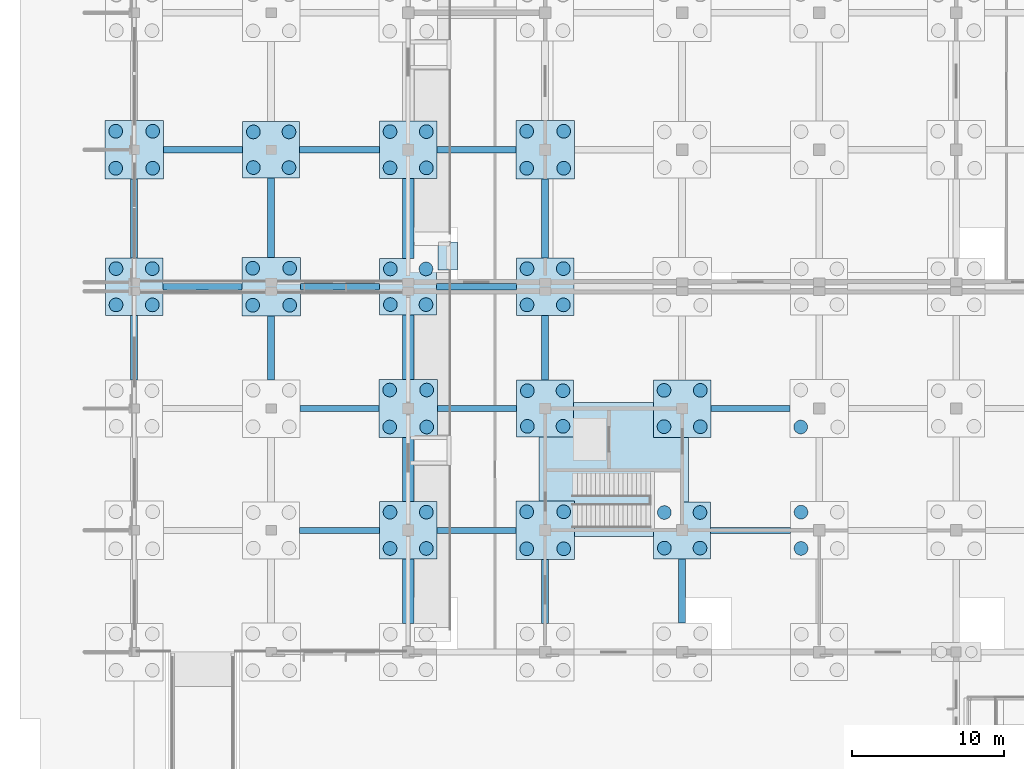
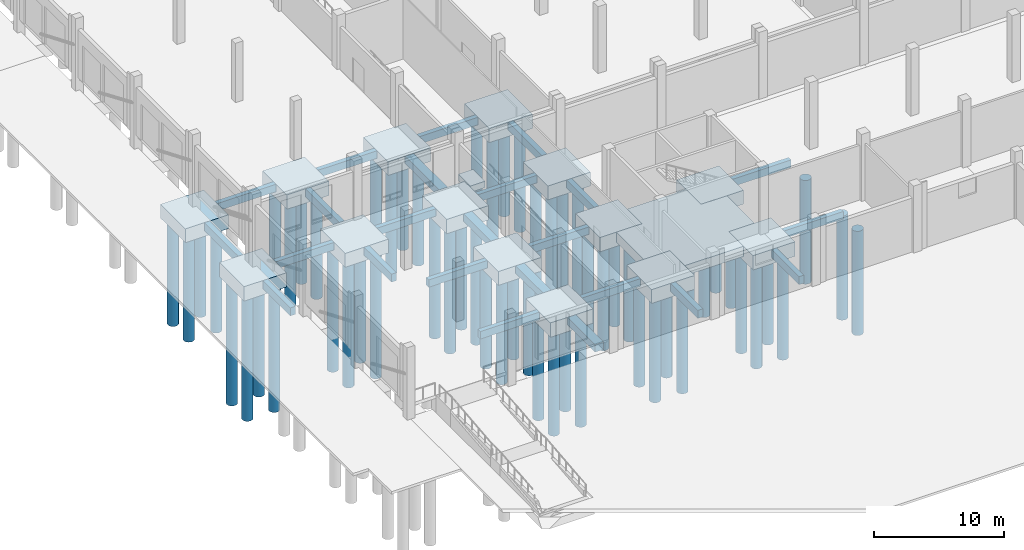
# One storey, part 2 of 99: 59 piles, 40 footings.
"""IFC4 building model written with IfcOpenShell, lengths in metres."""

from ifc_helpers import new_model, si_unit, direction, frame, origin, origin_2d, place, context, subcontext, project, spatial, polyline, rectangle, circle, outline, extrude, material, layer, layer_set, material_profile, profile_set, type_object, element, save


model = new_model("IFC4")

# Units and contexts
model_context = context("Model", 3, precision=1e-05, world=origin(), true_north=direction((0.0, 1.0)))
body_context = subcontext(model_context, "Body", "Model", "MODEL_VIEW")
ifc_project = project(units=[si_unit("LENGTHUNIT", "METRE"), si_unit("AREAUNIT", "SQUARE_METRE"), si_unit("VOLUMEUNIT", "CUBIC_METRE"), si_unit("PLANEANGLEUNIT", "RADIAN"), si_unit("MASSUNIT", "GRAM", prefix="KILO")], contexts=[model_context])

# Site, building, storey
site_placement = place(None, origin())
site = spatial("IfcSite", under=ifc_project, at=site_placement, CompositionType="ELEMENT")
building_placement = place(site_placement, origin())
building = spatial("IfcBuilding", under=site, at=building_placement, Name="Zacnel Wholesale Market", CompositionType="ELEMENT")
storey_placement = place(building_placement, origin())
storey = spatial("IfcBuildingStorey", under=building, at=storey_placement, Name="L01", CompositionType="ELEMENT", Elevation=0.0)

# Footings
ifc_material_1 = material(Name="Concrete C35/45", Category="concrete")
ifc_layer_1 = layer(ifc_material_1, 0.949951171875)
ifc_layer_set_1 = layer_set([ifc_layer_1], Name="Concrete C35/45")
footing_type_1 = type_object("IfcFootingType", Name="FTG-CORE-MAT-9500X8500", PredefinedType="PAD_FOOTING", material=ifc_layer_set_1)
footing_1_placement = place(storey_placement, frame((0.0, 0.0, -1.449951171875)))
element("IfcFooting", 1, at=footing_1_placement, inside=storey, type_object=footing_type_1, Name="Core C3 mat foundation", PredefinedType="PAD_FOOTING", context=body_context, shape_type="SweptSolid", body=[
    extrude(outline(polyline([(34.1298828125, 33.87109375), (34.1298828125, 33.87109375), (34.1298828125, 33.87109375), (34.129638671875, 33.87109375), (34.129638671875, 33.870849609375), (34.12939453125, 33.870849609375), (34.12939453125, 33.870849609375), (34.12939453125, 33.870849609375), (34.12939453125, 33.87060546875), (34.129150390625, 33.87060546875), (34.129150390625, 33.87060546875), (34.129150390625, 33.87060546875), (34.129150390625, 33.870361328125), (34.12890625, 33.870361328125), (34.12890625, 33.8701171875), (34.12890625, 33.8701171875), (34.12890625, 33.8701171875), (34.12890625, 31.60009765625), (28.916015625, 31.60009765625), (28.916015625, 33.9150390625), (28.916015625, 33.9150390625), (28.916015625, 33.915283203125), (28.916015625, 33.915283203125), (28.916015625, 33.915283203125), (28.916015625, 33.91552734375), (28.915771484375, 33.91552734375), (28.915771484375, 33.91552734375), (28.915771484375, 33.915771484375), (28.91552734375, 33.915771484375), (28.91552734375, 33.915771484375), (28.91552734375, 33.916015625), (28.915283203125, 33.916015625), (28.915283203125, 33.916015625), (28.915283203125, 33.916015625), (28.9150390625, 33.916015625), (28.9150390625, 33.916015625), (26.60009765625, 33.916015625), (26.60009765625, 38.12890625), (28.8701171875, 38.12890625), (28.8701171875, 38.12890625), (28.8701171875, 38.12890625), (28.870361328125, 38.12890625), (28.870361328125, 38.129150390625), (28.87060546875, 38.129150390625), (28.87060546875, 38.129150390625), (28.87060546875, 38.129150390625), (28.87060546875, 38.12939453125), (28.870849609375, 38.12939453125), (28.870849609375, 38.12939453125), (28.870849609375, 38.12939453125), (28.870849609375, 38.129638671875), (28.87109375, 38.129638671875), (28.87109375, 38.1298828125), (28.87109375, 38.1298828125), (28.87109375, 38.1298828125), (28.87109375, 40.39990234375), (34.10888671875, 40.39990234375), (34.10888671875, 38.110107421875), (34.10888671875, 38.10986328125), (34.10888671875, 38.10986328125), (34.10888671875, 38.109619140625), (34.109130859375, 38.109619140625), (34.109130859375, 38.109619140625), (34.109130859375, 38.109375), (34.109130859375, 38.109375), (34.109375, 38.109375), (34.109375, 38.109130859375), (34.109375, 38.109130859375), (34.109619140625, 38.109130859375), (34.109619140625, 38.109130859375), (34.109619140625, 38.10888671875), (34.10986328125, 38.10888671875), (34.10986328125, 38.10888671875), (34.110107421875, 38.10888671875), (36.39990234375, 38.10888671875), (36.39990234375, 33.87109375), (34.1298828125, 33.87109375)])), origin(), (0.0, 0.0, 1.0), 0.949951171875),
])
ifc_material_2 = material(Name="Concrete C35/45", Category="concrete")
ifc_material_profile_1 = material_profile(ifc_material_2, rectangle(XDim=0.39990234375, YDim=0.699951171875, at=origin_2d()), Name="CT 400x700")
ifc_profile_set_1 = profile_set([ifc_material_profile_1], Name="Concrete C35/45")
footing_type_2 = type_object("IfcFootingType", Name="FTG-CT400X700", PredefinedType="FOOTING_BEAM", material=ifc_profile_set_1)
footing_2_placement = place(storey_placement, frame((10.8701171875, 32.0, -0.85009765625), z_axis=(1.0, 0.0, 0.0), x_axis=(0.0, 1.0, 0.0)))
element("IfcFooting", 2, at=footing_2_placement, inside=storey, type_object=footing_type_2, Name="Ground tie beam CT-X-0319", PredefinedType="FOOTING_BEAM", context=body_context, shape_type="SweptSolid", body=[
    extrude(rectangle(XDim=0.39990234375, YDim=0.699951171875, at=origin_2d()), origin(), (0.0, 0.0, 1.0), 5.239990234375),
])
footing_3_placement = place(storey_placement, frame((19.889892578125, 32.0, -0.85009765625), z_axis=(1.0, 0.0, 0.0), x_axis=(0.0, 1.0, 0.0)))
element("IfcFooting", 3, at=footing_3_placement, inside=storey, type_object=footing_type_2, Name="Ground tie beam CT-X-0320", PredefinedType="FOOTING_BEAM", context=body_context, shape_type="SweptSolid", body=[
    extrude(rectangle(XDim=0.39990234375, YDim=0.699951171875, at=origin_2d()), origin(), (0.0, 0.0, 1.0), 5.195068359375),
])
footing_4_placement = place(storey_placement, frame((37.8701171875, 32.0, -0.85009765625), z_axis=(1.0, 0.0, 0.0), x_axis=(0.0, 1.0, 0.0)))
element("IfcFooting", 4, at=footing_4_placement, inside=storey, type_object=footing_type_2, Name="Ground tie beam CT-X-0321", PredefinedType="FOOTING_BEAM", context=body_context, shape_type="SweptSolid", body=[
    extrude(rectangle(XDim=0.39990234375, YDim=0.699951171875, at=origin_2d()), origin(), (0.0, 0.0, 1.0), 5.239990234375),
])
footing_5_placement = place(storey_placement, frame((10.889892578125, 40.0, -0.85009765625), z_axis=(1.0, 0.0, 0.0), x_axis=(0.0, 1.0, 0.0)))
element("IfcFooting", 5, at=footing_5_placement, inside=storey, type_object=footing_type_2, Name="Ground tie beam CT-X-0340", PredefinedType="FOOTING_BEAM", context=body_context, shape_type="SweptSolid", body=[
    extrude(rectangle(XDim=0.39990234375, YDim=0.699951171875, at=origin_2d()), origin(), (0.0, 0.0, 1.0), 5.195068359375),
])
footing_6_placement = place(storey_placement, frame((19.9150390625, 40.0, -0.85009765625), z_axis=(1.0, 0.0, 0.0), x_axis=(0.0, 1.0, 0.0)))
element("IfcFooting", 6, at=footing_6_placement, inside=storey, type_object=footing_type_2, Name="Ground tie beam CT-X-0341", PredefinedType="FOOTING_BEAM", context=body_context, shape_type="SweptSolid", body=[
    extrude(rectangle(XDim=0.39990234375, YDim=0.699951171875, at=origin_2d()), origin(), (0.0, 0.0, 1.0), 5.21484375),
])
for number, where, z_axis, x_axis, name in (
    (7, (37.889892578125, 40.0, -0.85009765625), (1.0, 0.0, 0.0), (0.0, 1.0, 0.0), "Ground tie beam CT-X-0342"),
    (8, (1.889892578125, 48.0, -0.85009765625), (1.0, 0.0, 0.0), (0.0, 1.0, 0.0), "Ground tie beam CT-X-0361"),
):
    element("IfcFooting", number, at=place(storey_placement, frame(where, z_axis=z_axis, x_axis=x_axis)), inside=storey, type_object=footing_type_2, Name=name, PredefinedType="FOOTING_BEAM", context=body_context, shape_type="SweptSolid", body=[
        extrude(rectangle(XDim=0.39990234375, YDim=0.699951171875, at=origin_2d()), origin(), (0.0, 0.0, 1.0), 5.195068359375),
    ])
footing_7_placement = place(storey_placement, frame((10.9150390625, 48.0, -0.85009765625), z_axis=(1.0, 0.0, 0.0), x_axis=(0.0, 1.0, 0.0)))
element("IfcFooting", 9, at=footing_7_placement, inside=storey, type_object=footing_type_2, Name="Ground tie beam CT-X-0362", PredefinedType="FOOTING_BEAM", context=body_context, shape_type="SweptSolid", body=[
    extrude(rectangle(XDim=0.39990234375, YDim=0.699951171875, at=origin_2d()), origin(), (0.0, 0.0, 1.0), 5.21484375),
])
footing_8_placement = place(storey_placement, frame((19.8701171875, 48.0, -0.85009765625), z_axis=(1.0, 0.0, 0.0), x_axis=(0.0, 1.0, 0.0)))
element("IfcFooting", 10, at=footing_8_placement, inside=storey, type_object=footing_type_2, Name="Ground tie beam CT-X-0363", PredefinedType="FOOTING_BEAM", context=body_context, shape_type="SweptSolid", body=[
    extrude(rectangle(XDim=0.39990234375, YDim=0.699951171875, at=origin_2d()), origin(), (0.0, 0.0, 1.0), 5.239990234375),
])
footing_9_placement = place(storey_placement, frame((1.9150390625, 57.0, -0.85009765625), z_axis=(1.0, 0.0, 0.0), x_axis=(0.0, 1.0, 0.0)))
element("IfcFooting", 11, at=footing_9_placement, inside=storey, type_object=footing_type_2, Name="Ground tie beam CT-X-0381", PredefinedType="FOOTING_BEAM", context=body_context, shape_type="SweptSolid", body=[
    extrude(rectangle(XDim=0.39990234375, YDim=0.699951171875, at=origin_2d()), origin(), (0.0, 0.0, 1.0), 5.21484375),
])
footing_10_placement = place(storey_placement, frame((10.8701171875, 57.0, -0.85009765625), z_axis=(1.0, 0.0, 0.0), x_axis=(0.0, 1.0, 0.0)))
element("IfcFooting", 12, at=footing_10_placement, inside=storey, type_object=footing_type_2, Name="Ground tie beam CT-X-0382", PredefinedType="FOOTING_BEAM", context=body_context, shape_type="SweptSolid", body=[
    extrude(rectangle(XDim=0.39990234375, YDim=0.699951171875, at=origin_2d()), origin(), (0.0, 0.0, 1.0), 5.239990234375),
])
footing_11_placement = place(storey_placement, frame((19.889892578125, 57.0, -0.85009765625), z_axis=(1.0, 0.0, 0.0), x_axis=(0.0, 1.0, 0.0)))
element("IfcFooting", 13, at=footing_11_placement, inside=storey, type_object=footing_type_2, Name="Ground tie beam CT-X-0383", PredefinedType="FOOTING_BEAM", context=body_context, shape_type="SweptSolid", body=[
    extrude(rectangle(XDim=0.39990234375, YDim=0.699951171875, at=origin_2d()), origin(), (0.0, 0.0, 1.0), 5.195068359375),
])
ifc_material_3 = material(Name="Concrete C35/45", Category="concrete")
ifc_material_profile_2 = material_profile(ifc_material_3, rectangle(XDim=0.449951171875, YDim=0.75, at=origin_2d()), Name="CT 450x750")
ifc_profile_set_2 = profile_set([ifc_material_profile_2], Name="Concrete C35/45")
footing_type_3 = type_object("IfcFootingType", Name="FTG-CT450X750", PredefinedType="FOOTING_BEAM", material=ifc_profile_set_2)
footing_12_placement = place(storey_placement, frame((0.0, 41.8701171875, -0.875), z_axis=(0.0, 1.0, 0.0), x_axis=(-1.0, 0.0, 0.0)))
element("IfcFooting", 14, at=footing_12_placement, inside=storey, type_object=footing_type_3, Name="Ground tie beam CT-Y-0003", PredefinedType="FOOTING_BEAM", context=body_context, shape_type="SweptSolid", body=[
    extrude(rectangle(XDim=0.449951171875, YDim=0.75, at=origin_2d()), origin(), (0.0, 0.0, 1.0), 4.239990234375),
])
footing_13_placement = place(storey_placement, frame((0.0, 49.889892578125, -0.875), z_axis=(0.0, 1.0, 0.0), x_axis=(-1.0, 0.0, 0.0)))
element("IfcFooting", 15, at=footing_13_placement, inside=storey, type_object=footing_type_3, Name="Ground tie beam CT-Y-0004", PredefinedType="FOOTING_BEAM", context=body_context, shape_type="SweptSolid", body=[
    extrude(rectangle(XDim=0.449951171875, YDim=0.75, at=origin_2d()), origin(), (0.0, 0.0, 1.0), 5.195068359375),
])
footing_14_placement = place(storey_placement, frame((9.0, 41.889892578125, -0.875), z_axis=(0.0, 1.0, 0.0), x_axis=(-1.0, 0.0, 0.0)))
element("IfcFooting", 16, at=footing_14_placement, inside=storey, type_object=footing_type_3, Name="Ground tie beam CT-Y-0015", PredefinedType="FOOTING_BEAM", context=body_context, shape_type="SweptSolid", body=[
    extrude(rectangle(XDim=0.449951171875, YDim=0.75, at=origin_2d()), origin(), (0.0, 0.0, 1.0), 4.195068359375),
])
footing_15_placement = place(storey_placement, frame((9.0, 49.9150390625, -0.875), z_axis=(0.0, 1.0, 0.0), x_axis=(-1.0, 0.0, 0.0)))
element("IfcFooting", 17, at=footing_15_placement, inside=storey, type_object=footing_type_3, Name="Ground tie beam CT-Y-0016", PredefinedType="FOOTING_BEAM", context=body_context, shape_type="SweptSolid", body=[
    extrude(rectangle(XDim=0.449951171875, YDim=0.75, at=origin_2d()), origin(), (0.0, 0.0, 1.0), 5.21484375),
])
footing_16_placement = place(storey_placement, frame((27.0, 25.889892578125, -0.875), z_axis=(0.0, 1.0, 0.0), x_axis=(-1.0, 0.0, 0.0)))
element("IfcFooting", 18, at=footing_16_placement, inside=storey, type_object=footing_type_3, Name="Ground tie beam CT-Y-0025", PredefinedType="FOOTING_BEAM", context=body_context, shape_type="SweptSolid", body=[
    extrude(rectangle(XDim=0.449951171875, YDim=0.75, at=origin_2d()), origin(), (0.0, 0.0, 1.0), 4.195068359375),
])
footing_17_placement = place(storey_placement, frame((27.0, 41.8701171875, -0.875), z_axis=(0.0, 1.0, 0.0), x_axis=(-1.0, 0.0, 0.0)))
element("IfcFooting", 19, at=footing_17_placement, inside=storey, type_object=footing_type_3, Name="Ground tie beam CT-Y-0026", PredefinedType="FOOTING_BEAM", context=body_context, shape_type="SweptSolid", body=[
    extrude(rectangle(XDim=0.449951171875, YDim=0.75, at=origin_2d()), origin(), (0.0, 0.0, 1.0), 4.239990234375),
])
footing_18_placement = place(storey_placement, frame((27.0, 49.889892578125, -0.875), z_axis=(0.0, 1.0, 0.0), x_axis=(-1.0, 0.0, 0.0)))
element("IfcFooting", 20, at=footing_18_placement, inside=storey, type_object=footing_type_3, Name="Ground tie beam CT-Y-0027", PredefinedType="FOOTING_BEAM", context=body_context, shape_type="SweptSolid", body=[
    extrude(rectangle(XDim=0.449951171875, YDim=0.75, at=origin_2d()), origin(), (0.0, 0.0, 1.0), 5.195068359375),
])
footing_19_placement = place(storey_placement, frame((36.0, 25.9150390625, -0.875), z_axis=(0.0, 1.0, 0.0), x_axis=(-1.0, 0.0, 0.0)))
element("IfcFooting", 21, at=footing_19_placement, inside=storey, type_object=footing_type_3, Name="Ground tie beam CT-Y-0035", PredefinedType="FOOTING_BEAM", context=body_context, shape_type="SweptSolid", body=[
    extrude(rectangle(XDim=0.449951171875, YDim=0.75, at=origin_2d()), origin(), (0.0, 0.0, 1.0), 4.21484375),
])
ifc_material_4 = material(Name="Concrete C35/45", Category="concrete")
ifc_layer_2 = layer(ifc_material_4, 1.0)
ifc_layer_set_2 = layer_set([ifc_layer_2], Name="Concrete C35/45")
footing_type_4 = type_object("IfcFootingType", Name="FTG-PAD-2400X1800", PredefinedType="PAD_FOOTING", material=ifc_layer_set_2)
footing_20_placement = place(storey_placement, frame((0.0, 0.0, -1.10009765625)))
element("IfcFooting", 22, at=footing_20_placement, inside=storey, type_object=footing_type_4, Name="Accessible ramp RP-01 (RMP-DOCK-S) pad footing", PredefinedType="PAD_FOOTING", context=body_context, shape_type="SweptSolid", body=[
    extrude(outline(polyline([(21.25, 49.10009765625), (21.25, 50.949951171875), (19.949951171875, 50.949951171875), (19.949951171875, 49.10009765625), (21.25, 49.10009765625)])), origin(), (0.0, 0.0, 1.0), 0.60009765625),
])
ifc_material_5 = material(Name="Concrete C35/45", Category="concrete")
ifc_layer_3 = layer(ifc_material_5, 1.35009765625)
ifc_layer_set_3 = layer_set([ifc_layer_3], Name="Concrete C35/45")
footing_type_5 = type_object("IfcFootingType", Name="FTG-PC-3740X3740X1350", PredefinedType="PILE_CAP", material=ifc_layer_set_3)
for number, where, z_axis, x_axis, name in (
    (23, (9.0, 57.0, -1.85009765625), (0.0, 0.0, 1.0), (1.0, 0.0, 0.0), "Pile cap PC-06 (STR-PC-018)"),
    (24, (18.0, 48.0, -1.85009765625), (0.0, 0.0, 1.0), (1.0, 0.0, 0.0), "Pile cap PC-06 (STR-PC-030)"),
    (25, (27.0, 40.0, -1.85009765625), (0.0, 0.0, 1.0), (1.0, 0.0, 0.0), "Pile cap PC-06 (STR-PC-042)"),
    (26, (36.0, 32.0, -1.85009765625), (0.0, 0.0, 1.0), (1.0, 0.0, 0.0), "Pile cap PC-06 (STR-PC-054)"),
):
    element("IfcFooting", number, at=place(storey_placement, frame(where, z_axis=z_axis, x_axis=x_axis)), inside=storey, type_object=footing_type_5, Name=name, PredefinedType="PILE_CAP", context=body_context, shape_type="SweptSolid", body=[
        extrude(rectangle(XDim=3.739990234375, YDim=3.739990234375, at=origin_2d()), origin(), (0.0, 0.0, 1.0), 1.35009765625),
    ])
ifc_material_6 = material(Name="Concrete C35/45", Category="concrete")
ifc_layer_4 = layer(ifc_material_6, 1.300048828125)
ifc_layer_set_4 = layer_set([ifc_layer_4], Name="Concrete C35/45")
footing_type_6 = type_object("IfcFootingType", Name="FTG-PC-3780X3780X1300", PredefinedType="PILE_CAP", material=ifc_layer_set_4)
for number, where, z_axis, x_axis, name in (
    (27, (18.0, 57.0, -1.7998046875), (0.0, 0.0, 1.0), (1.0, 0.0, 0.0), "Pile cap PC-01 (STR-PC-031)"),
    (28, (27.0, 48.0, -1.7998046875), (0.0, 0.0, 1.0), (1.0, 0.0, 0.0), "Pile cap PC-01 (STR-PC-043)"),
    (29, (36.0, 40.0, -1.7998046875), (0.0, 0.0, 1.0), (1.0, 0.0, 0.0), "Pile cap PC-01 (STR-PC-055)"),
):
    element("IfcFooting", number, at=place(storey_placement, frame(where, z_axis=z_axis, x_axis=x_axis)), inside=storey, type_object=footing_type_6, Name=name, PredefinedType="PILE_CAP", context=body_context, shape_type="SweptSolid", body=[
        extrude(rectangle(XDim=3.780029296875, YDim=3.780029296875, at=origin_2d()), origin(), (0.0, 0.0, 1.0), 1.300048828125),
    ])
ifc_material_7 = material(Name="Concrete C35/45", Category="concrete")
ifc_layer_5 = layer(ifc_material_7, 1.35009765625)
ifc_layer_set_5 = layer_set([ifc_layer_5], Name="Concrete C35/45")
footing_type_7 = type_object("IfcFootingType", Name="FTG-PC-3780X3780X1350", PredefinedType="PILE_CAP", material=ifc_layer_set_5)
for number, where, z_axis, x_axis, name in (
    (30, (0.0, 48.0, -1.85009765625), (0.0, 0.0, 1.0), (1.0, 0.0, 0.0), "Pile cap PC-04 (STR-PC-004)"),
    (31, (18.0, 32.0, -1.85009765625), (0.0, 0.0, 1.0), (1.0, 0.0, 0.0), "Pile cap PC-04 (STR-PC-028)"),
):
    element("IfcFooting", number, at=place(storey_placement, frame(where, z_axis=z_axis, x_axis=x_axis)), inside=storey, type_object=footing_type_7, Name=name, PredefinedType="PILE_CAP", context=body_context, shape_type="SweptSolid", body=[
        extrude(rectangle(XDim=3.780029296875, YDim=3.780029296875, at=origin_2d()), origin(), (0.0, 0.0, 1.0), 1.35009765625),
    ])
ifc_material_8 = material(Name="Concrete C35/45", Category="concrete")
ifc_layer_6 = layer(ifc_material_8, 1.300048828125)
ifc_layer_set_6 = layer_set([ifc_layer_6], Name="Concrete C35/45")
footing_type_8 = type_object("IfcFootingType", Name="FTG-PC-3830X3830X1300", PredefinedType="PILE_CAP", material=ifc_layer_set_6)
for number, where, z_axis, x_axis, name in (
    (32, (0.0, 57.0, -1.7998046875), (0.0, 0.0, 1.0), (1.0, 0.0, 0.0), "Pile cap PC-05 (STR-PC-005)"),
    (33, (9.0, 48.0, -1.7998046875), (0.0, 0.0, 1.0), (1.0, 0.0, 0.0), "Pile cap PC-05 (STR-PC-017)"),
    (34, (18.0, 40.0, -1.7998046875), (0.0, 0.0, 1.0), (1.0, 0.0, 0.0), "Pile cap PC-05 (STR-PC-029)"),
    (35, (27.0, 32.0, -1.7998046875), (0.0, 0.0, 1.0), (1.0, 0.0, 0.0), "Pile cap PC-05 (STR-PC-041)"),
):
    element("IfcFooting", number, at=place(storey_placement, frame(where, z_axis=z_axis, x_axis=x_axis)), inside=storey, type_object=footing_type_8, Name=name, PredefinedType="PILE_CAP", context=body_context, shape_type="SweptSolid", body=[
        extrude(rectangle(XDim=3.830078125, YDim=3.830078125, at=origin_2d()), origin(), (0.0, 0.0, 1.0), 1.300048828125),
    ])
ifc_material_9 = material(Name="Concrete C35/45", Category="concrete")
ifc_layer_7 = layer(ifc_material_9, 1.35009765625)
ifc_layer_set_7 = layer_set([ifc_layer_7], Name="Concrete C35/45")
footing_type_9 = type_object("IfcFootingType", Name="FTG-PC-3830X3830X1350", PredefinedType="PILE_CAP", material=ifc_layer_set_7)
footing_21_placement = place(storey_placement, frame((27.0, 57.0, -1.85009765625), z_axis=(0.0, 0.0, 1.0), x_axis=(1.0, 0.0, 0.0)))
element("IfcFooting", 36, at=footing_21_placement, inside=storey, type_object=footing_type_9, Name="Pile cap PC-02 (STR-PC-044)", PredefinedType="PILE_CAP", context=body_context, shape_type="SweptSolid", body=[
    extrude(rectangle(XDim=3.830078125, YDim=3.830078125, at=origin_2d()), origin(), (0.0, 0.0, 1.0), 1.35009765625),
])
ifc_material_10 = material(Name="Concrete C35/45", Category="concrete")
ifc_layer_8 = layer(ifc_material_10, 0.699951171875)
ifc_layer_set_8 = layer_set([ifc_layer_8], Name="Concrete C35/45")
footing_type_10 = type_object("IfcFootingType", Name="FTG-STRIP-750X700", PredefinedType="STRIP_FOOTING", material=ifc_layer_set_8)
footing_22_placement = place(storey_placement, frame((0.0, 0.0, -1.199951171875)))
element("IfcFooting", 37, at=footing_22_placement, inside=storey, type_object=footing_type_10, Name="Dock step strip footing 001", PredefinedType="STRIP_FOOTING", context=body_context, shape_type="SweptSolid", body=[
    extrude(outline(polyline([(18.375, 25.87109375), (18.375, 30.10888671875), (17.625, 30.10888671875), (17.625, 25.87109375), (18.375, 25.87109375)])), origin(), (0.0, 0.0, 1.0), 0.699951171875),
])
footing_23_placement = place(storey_placement, frame((0.0, 0.0, -1.199951171875)))
element("IfcFooting", 38, at=footing_23_placement, inside=storey, type_object=footing_type_10, Name="Dock step strip footing 002", PredefinedType="STRIP_FOOTING", context=body_context, shape_type="SweptSolid", body=[
    extrude(outline(polyline([(18.375, 33.89111328125), (18.375, 38.083984375), (17.625, 38.083984375), (17.625, 33.89111328125), (18.375, 33.89111328125)])), origin(), (0.0, 0.0, 1.0), 0.699951171875),
])
footing_24_placement = place(storey_placement, frame((0.0, 0.0, -1.199951171875)))
element("IfcFooting", 39, at=footing_24_placement, inside=storey, type_object=footing_type_10, Name="Dock step strip footing 003", PredefinedType="STRIP_FOOTING", context=body_context, shape_type="SweptSolid", body=[
    extrude(outline(polyline([(18.375, 41.916015625), (18.375, 46.12890625), (17.625, 46.12890625), (17.625, 41.916015625), (18.375, 41.916015625)])), origin(), (0.0, 0.0, 1.0), 0.699951171875),
])
footing_25_placement = place(storey_placement, frame((0.0, 0.0, -1.199951171875)))
element("IfcFooting", 40, at=footing_25_placement, inside=storey, type_object=footing_type_10, Name="Dock step strip footing 004", PredefinedType="STRIP_FOOTING", context=body_context, shape_type="SweptSolid", body=[
    extrude(outline(polyline([(18.375, 49.87109375), (18.375, 55.10888671875), (17.625, 55.10888671875), (17.625, 49.87109375), (18.375, 49.87109375)])), origin(), (0.0, 0.0, 1.0), 0.699951171875),
])

# Piles
ifc_material_11 = material(Name="Concrete C35/45", Category="concrete")
ifc_material_profile_3 = material_profile(ifc_material_11, circle(Radius=0.449951171875, at=origin_2d()), Name="BORED PILE D900")
ifc_profile_set_3 = profile_set([ifc_material_profile_3], Name="Concrete C35/45")
pile_type = type_object("IfcPileType", Name="PILE-BORED-900", PredefinedType="BORED", material=ifc_profile_set_3)
for number, where, z_axis, x_axis, name in (
    (41, (-1.1923828125, 46.8076171875, -1.75), (0.0, 0.0, -1.0), (1.0, 0.0, 0.0), "Bored pile STR-PILE-004-01"),
    (42, (-1.1923828125, 49.1923828125, -1.75), (0.0, 0.0, -1.0), (1.0, 0.0, 0.0), "Bored pile STR-PILE-004-02"),
    (43, (1.1923828125, 46.8076171875, -1.75), (0.0, 0.0, -1.0), (1.0, 0.0, 0.0), "Bored pile STR-PILE-004-03"),
    (44, (1.1923828125, 49.1923828125, -1.75), (0.0, 0.0, -1.0), (1.0, 0.0, 0.0), "Bored pile STR-PILE-004-04"),
):
    element("IfcPile", number, at=place(storey_placement, frame(where, z_axis=z_axis, x_axis=x_axis)), inside=storey, type_object=pile_type, Name=name, PredefinedType="BORED", context=body_context, shape_type="SweptSolid", body=[
        extrude(circle(Radius=0.449951171875, at=origin_2d()), origin(), (0.0, 0.0, 1.0), 11.75),
    ])
for number, where, z_axis, x_axis, name in (
    (45, (-1.215087890625, 55.784912109375, -1.699951171875), (0.0, 0.0, -1.0), (1.0, 0.0, 0.0), "Bored pile STR-PILE-005-01"),
    (46, (-1.215087890625, 58.215087890625, -1.699951171875), (0.0, 0.0, -1.0), (1.0, 0.0, 0.0), "Bored pile STR-PILE-005-02"),
    (47, (1.215087890625, 55.784912109375, -1.699951171875), (0.0, 0.0, -1.0), (1.0, 0.0, 0.0), "Bored pile STR-PILE-005-03"),
    (48, (1.215087890625, 58.215087890625, -1.699951171875), (0.0, 0.0, -1.0), (1.0, 0.0, 0.0), "Bored pile STR-PILE-005-04"),
):
    element("IfcPile", number, at=place(storey_placement, frame(where, z_axis=z_axis, x_axis=x_axis)), inside=storey, type_object=pile_type, Name=name, PredefinedType="BORED", context=body_context, shape_type="SweptSolid", body=[
        extrude(circle(Radius=0.449951171875, at=origin_2d()), origin(), (0.0, 0.0, 1.0), 9.800048828125),
    ])
for number, where, z_axis, x_axis, name in (
    (49, (7.784912109375, 46.784912109375, -1.699951171875), (0.0, 0.0, -1.0), (1.0, 0.0, 0.0), "Bored pile STR-PILE-017-01"),
    (50, (7.784912109375, 49.215087890625, -1.699951171875), (0.0, 0.0, -1.0), (1.0, 0.0, 0.0), "Bored pile STR-PILE-017-02"),
    (51, (10.215087890625, 46.784912109375, -1.699951171875), (0.0, 0.0, -1.0), (1.0, 0.0, 0.0), "Bored pile STR-PILE-017-03"),
    (52, (10.215087890625, 49.215087890625, -1.699951171875), (0.0, 0.0, -1.0), (1.0, 0.0, 0.0), "Bored pile STR-PILE-017-04"),
):
    element("IfcPile", number, at=place(storey_placement, frame(where, z_axis=z_axis, x_axis=x_axis)), inside=storey, type_object=pile_type, Name=name, PredefinedType="BORED", context=body_context, shape_type="SweptSolid", body=[
        extrude(circle(Radius=0.449951171875, at=origin_2d()), origin(), (0.0, 0.0, 1.0), 11.800048828125),
    ])
for number, where, z_axis, x_axis, name in (
    (53, (7.830078125, 55.830078125, -1.75), (0.0, 0.0, -1.0), (1.0, 0.0, 0.0), "Bored pile STR-PILE-018-01"),
    (54, (7.830078125, 58.169921875, -1.75), (0.0, 0.0, -1.0), (1.0, 0.0, 0.0), "Bored pile STR-PILE-018-02"),
    (55, (10.169921875, 55.830078125, -1.75), (0.0, 0.0, -1.0), (1.0, 0.0, 0.0), "Bored pile STR-PILE-018-03"),
    (56, (10.169921875, 58.169921875, -1.75), (0.0, 0.0, -1.0), (1.0, 0.0, 0.0), "Bored pile STR-PILE-018-04"),
    (57, (16.8076171875, 30.8076171875, -1.75), (0.0, 0.0, -1.0), (1.0, 0.0, 0.0), "Bored pile STR-PILE-028-01"),
    (58, (16.8076171875, 33.1923828125, -1.75), (0.0, 0.0, -1.0), (1.0, 0.0, 0.0), "Bored pile STR-PILE-028-02"),
    (59, (19.1923828125, 30.8076171875, -1.75), (0.0, 0.0, -1.0), (1.0, 0.0, 0.0), "Bored pile STR-PILE-028-03"),
    (60, (19.1923828125, 33.1923828125, -1.75), (0.0, 0.0, -1.0), (1.0, 0.0, 0.0), "Bored pile STR-PILE-028-04"),
):
    element("IfcPile", number, at=place(storey_placement, frame(where, z_axis=z_axis, x_axis=x_axis)), inside=storey, type_object=pile_type, Name=name, PredefinedType="BORED", context=body_context, shape_type="SweptSolid", body=[
        extrude(circle(Radius=0.449951171875, at=origin_2d()), origin(), (0.0, 0.0, 1.0), 9.75),
    ])
for number, where, z_axis, x_axis, name in (
    (61, (16.784912109375, 38.784912109375, -1.699951171875), (0.0, 0.0, -1.0), (1.0, 0.0, 0.0), "Bored pile STR-PILE-029-01"),
    (62, (16.784912109375, 41.215087890625, -1.699951171875), (0.0, 0.0, -1.0), (1.0, 0.0, 0.0), "Bored pile STR-PILE-029-02"),
    (63, (19.215087890625, 38.784912109375, -1.699951171875), (0.0, 0.0, -1.0), (1.0, 0.0, 0.0), "Bored pile STR-PILE-029-03"),
    (64, (19.215087890625, 41.215087890625, -1.699951171875), (0.0, 0.0, -1.0), (1.0, 0.0, 0.0), "Bored pile STR-PILE-029-04"),
):
    element("IfcPile", number, at=place(storey_placement, frame(where, z_axis=z_axis, x_axis=x_axis)), inside=storey, type_object=pile_type, Name=name, PredefinedType="BORED", context=body_context, shape_type="SweptSolid", body=[
        extrude(circle(Radius=0.449951171875, at=origin_2d()), origin(), (0.0, 0.0, 1.0), 9.800048828125),
    ])
for number, where, z_axis, x_axis, name in (
    (65, (16.830078125, 46.830078125, -1.75), (0.0, 0.0, -1.0), (1.0, 0.0, 0.0), "Bored pile STR-PILE-030-01"),
    (66, (16.830078125, 49.169921875, -1.75), (0.0, 0.0, -1.0), (1.0, 0.0, 0.0), "Bored pile STR-PILE-030-02"),
    (67, (19.169921875, 46.830078125, -1.75), (0.0, 0.0, -1.0), (1.0, 0.0, 0.0), "Bored pile STR-PILE-030-03"),
    (68, (19.169921875, 49.169921875, -1.75), (0.0, 0.0, -1.0), (1.0, 0.0, 0.0), "Bored pile STR-PILE-030-04"),
):
    element("IfcPile", number, at=place(storey_placement, frame(where, z_axis=z_axis, x_axis=x_axis)), inside=storey, type_object=pile_type, Name=name, PredefinedType="BORED", context=body_context, shape_type="SweptSolid", body=[
        extrude(circle(Radius=0.449951171875, at=origin_2d()), origin(), (0.0, 0.0, 1.0), 11.75),
    ])
for number, where, z_axis, x_axis, name in (
    (69, (16.8076171875, 55.8076171875, -1.699951171875), (0.0, 0.0, -1.0), (1.0, 0.0, 0.0), "Bored pile STR-PILE-031-01"),
    (70, (16.8076171875, 58.1923828125, -1.699951171875), (0.0, 0.0, -1.0), (1.0, 0.0, 0.0), "Bored pile STR-PILE-031-02"),
    (71, (19.1923828125, 55.8076171875, -1.699951171875), (0.0, 0.0, -1.0), (1.0, 0.0, 0.0), "Bored pile STR-PILE-031-03"),
    (72, (19.1923828125, 58.1923828125, -1.699951171875), (0.0, 0.0, -1.0), (1.0, 0.0, 0.0), "Bored pile STR-PILE-031-04"),
    (73, (25.784912109375, 30.784912109375, -1.699951171875), (0.0, 0.0, -1.0), (1.0, 0.0, 0.0), "Bored pile STR-PILE-041-01"),
    (74, (25.784912109375, 33.215087890625, -1.699951171875), (0.0, 0.0, -1.0), (1.0, 0.0, 0.0), "Bored pile STR-PILE-041-02"),
    (75, (28.215087890625, 30.784912109375, -1.699951171875), (0.0, 0.0, -1.0), (1.0, 0.0, 0.0), "Bored pile STR-PILE-041-03"),
    (76, (28.215087890625, 33.215087890625, -1.699951171875), (0.0, 0.0, -1.0), (1.0, 0.0, 0.0), "Bored pile STR-PILE-041-04"),
):
    element("IfcPile", number, at=place(storey_placement, frame(where, z_axis=z_axis, x_axis=x_axis)), inside=storey, type_object=pile_type, Name=name, PredefinedType="BORED", context=body_context, shape_type="SweptSolid", body=[
        extrude(circle(Radius=0.449951171875, at=origin_2d()), origin(), (0.0, 0.0, 1.0), 9.800048828125),
    ])
for number, where, z_axis, x_axis, name in (
    (77, (25.830078125, 38.830078125, -1.75), (0.0, 0.0, -1.0), (1.0, 0.0, 0.0), "Bored pile STR-PILE-042-01"),
    (78, (25.830078125, 41.169921875, -1.75), (0.0, 0.0, -1.0), (1.0, 0.0, 0.0), "Bored pile STR-PILE-042-02"),
    (79, (28.169921875, 38.830078125, -1.75), (0.0, 0.0, -1.0), (1.0, 0.0, 0.0), "Bored pile STR-PILE-042-03"),
    (80, (28.169921875, 41.169921875, -1.75), (0.0, 0.0, -1.0), (1.0, 0.0, 0.0), "Bored pile STR-PILE-042-04"),
):
    element("IfcPile", number, at=place(storey_placement, frame(where, z_axis=z_axis, x_axis=x_axis)), inside=storey, type_object=pile_type, Name=name, PredefinedType="BORED", context=body_context, shape_type="SweptSolid", body=[
        extrude(circle(Radius=0.449951171875, at=origin_2d()), origin(), (0.0, 0.0, 1.0), 9.75),
    ])
for number, where, z_axis, x_axis, name in (
    (81, (25.8076171875, 46.8076171875, -1.699951171875), (0.0, 0.0, -1.0), (1.0, 0.0, 0.0), "Bored pile STR-PILE-043-01"),
    (82, (25.8076171875, 49.1923828125, -1.699951171875), (0.0, 0.0, -1.0), (1.0, 0.0, 0.0), "Bored pile STR-PILE-043-02"),
    (83, (28.1923828125, 46.8076171875, -1.699951171875), (0.0, 0.0, -1.0), (1.0, 0.0, 0.0), "Bored pile STR-PILE-043-03"),
    (84, (28.1923828125, 49.1923828125, -1.699951171875), (0.0, 0.0, -1.0), (1.0, 0.0, 0.0), "Bored pile STR-PILE-043-04"),
):
    element("IfcPile", number, at=place(storey_placement, frame(where, z_axis=z_axis, x_axis=x_axis)), inside=storey, type_object=pile_type, Name=name, PredefinedType="BORED", context=body_context, shape_type="SweptSolid", body=[
        extrude(circle(Radius=0.449951171875, at=origin_2d()), origin(), (0.0, 0.0, 1.0), 11.800048828125),
    ])
for number, where, z_axis, x_axis, name in (
    (85, (25.784912109375, 55.784912109375, -1.75), (0.0, 0.0, -1.0), (1.0, 0.0, 0.0), "Bored pile STR-PILE-044-01"),
    (86, (25.784912109375, 58.215087890625, -1.75), (0.0, 0.0, -1.0), (1.0, 0.0, 0.0), "Bored pile STR-PILE-044-02"),
    (87, (28.215087890625, 55.784912109375, -1.75), (0.0, 0.0, -1.0), (1.0, 0.0, 0.0), "Bored pile STR-PILE-044-03"),
    (88, (28.215087890625, 58.215087890625, -1.75), (0.0, 0.0, -1.0), (1.0, 0.0, 0.0), "Bored pile STR-PILE-044-04"),
    (89, (34.830078125, 30.830078125, -1.75), (0.0, 0.0, -1.0), (1.0, 0.0, 0.0), "Bored pile STR-PILE-054-01"),
    (90, (34.830078125, 33.169921875, -1.75), (0.0, 0.0, -1.0), (1.0, 0.0, 0.0), "Bored pile STR-PILE-054-02"),
    (91, (37.169921875, 30.830078125, -1.75), (0.0, 0.0, -1.0), (1.0, 0.0, 0.0), "Bored pile STR-PILE-054-03"),
    (92, (37.169921875, 33.169921875, -1.75), (0.0, 0.0, -1.0), (1.0, 0.0, 0.0), "Bored pile STR-PILE-054-04"),
):
    element("IfcPile", number, at=place(storey_placement, frame(where, z_axis=z_axis, x_axis=x_axis)), inside=storey, type_object=pile_type, Name=name, PredefinedType="BORED", context=body_context, shape_type="SweptSolid", body=[
        extrude(circle(Radius=0.449951171875, at=origin_2d()), origin(), (0.0, 0.0, 1.0), 9.75),
    ])
for number, where, z_axis, x_axis, name in (
    (93, (34.8076171875, 38.8076171875, -1.699951171875), (0.0, 0.0, -1.0), (1.0, 0.0, 0.0), "Bored pile STR-PILE-055-01"),
    (94, (34.8076171875, 41.1923828125, -1.699951171875), (0.0, 0.0, -1.0), (1.0, 0.0, 0.0), "Bored pile STR-PILE-055-02"),
    (95, (37.1923828125, 38.8076171875, -1.699951171875), (0.0, 0.0, -1.0), (1.0, 0.0, 0.0), "Bored pile STR-PILE-055-03"),
    (96, (37.1923828125, 41.1923828125, -1.699951171875), (0.0, 0.0, -1.0), (1.0, 0.0, 0.0), "Bored pile STR-PILE-055-04"),
    (97, (43.8076171875, 30.8076171875, -1.699951171875), (0.0, 0.0, -1.0), (1.0, 0.0, 0.0), "Bored pile STR-PILE-067-01"),
    (98, (43.8076171875, 33.1923828125, -1.699951171875), (0.0, 0.0, -1.0), (1.0, 0.0, 0.0), "Bored pile STR-PILE-067-02"),
):
    element("IfcPile", number, at=place(storey_placement, frame(where, z_axis=z_axis, x_axis=x_axis)), inside=storey, type_object=pile_type, Name=name, PredefinedType="BORED", context=body_context, shape_type="SweptSolid", body=[
        extrude(circle(Radius=0.449951171875, at=origin_2d()), origin(), (0.0, 0.0, 1.0), 9.800048828125),
    ])
pile_placement = place(storey_placement, frame((43.784912109375, 38.784912109375, -1.75), z_axis=(0.0, 0.0, -1.0), x_axis=(1.0, 0.0, 0.0)))
element("IfcPile", 99, at=pile_placement, inside=storey, type_object=pile_type, Name="Bored pile STR-PILE-068-01", PredefinedType="BORED", context=body_context, shape_type="SweptSolid", body=[
    extrude(circle(Radius=0.449951171875, at=origin_2d()), origin(), (0.0, 0.0, 1.0), 9.75),
])

save(model, "model.ifc")
